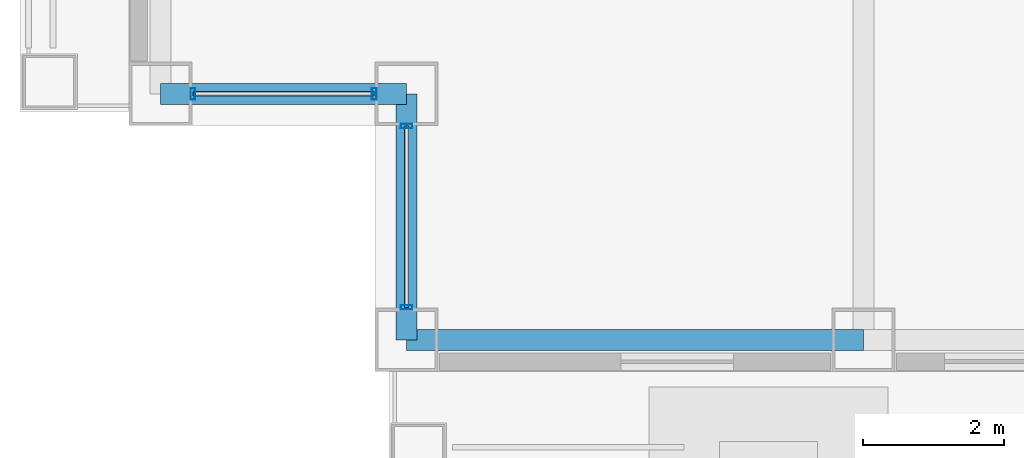
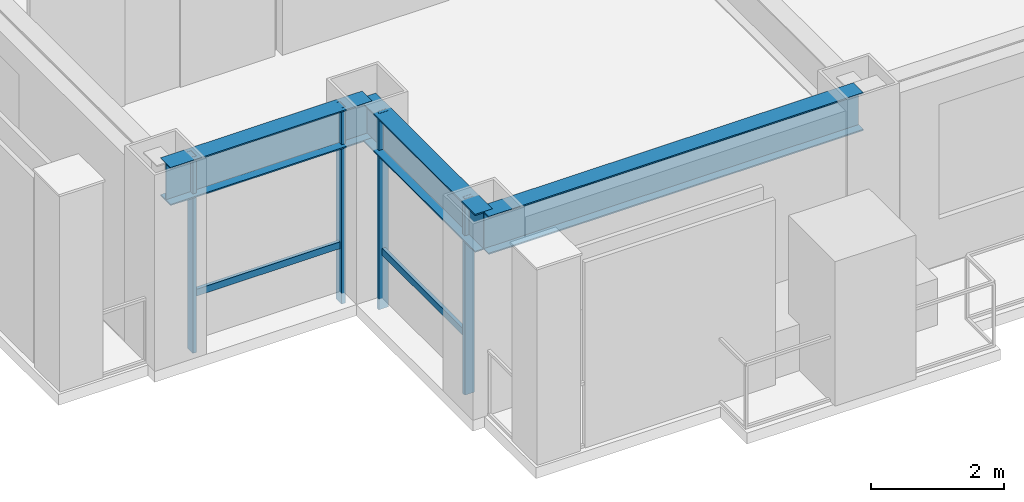
# One storey, part 2 of 28: 6 members, 3 beams, 2 elements without a shape of their own.
"""IFC4 building model written with IfcOpenShell, lengths in metres."""

from ifc_helpers import new_model, si_unit, direction, frame, origin, origin_2d, place, context, subcontext, project, spatial, hollow_rectangle, i_section, extrude, material, layer, layer_set, material_profile, profile_set, type_object, element, aggregate, save


model = new_model("IFC4")

# Units and contexts
model_context = context("Model", 3, precision=1e-05, world=origin(), true_north=direction((0.0, 1.0)))
body_context = subcontext(model_context, "Body", "Model", "MODEL_VIEW")
ifc_project = project(units=[si_unit("LENGTHUNIT", "METRE"), si_unit("AREAUNIT", "SQUARE_METRE"), si_unit("VOLUMEUNIT", "CUBIC_METRE"), si_unit("PLANEANGLEUNIT", "RADIAN"), si_unit("MASSUNIT", "GRAM", prefix="KILO")], contexts=[model_context])

# Site, building, storey
site_placement = place(None, origin())
site = spatial("IfcSite", under=ifc_project, at=site_placement, CompositionType="ELEMENT")
building_placement = place(site_placement, origin())
building = spatial("IfcBuilding", under=site, at=building_placement, Name="Brelmoor Portico Tower", CompositionType="ELEMENT")
storey_placement = place(building_placement, frame((0.0, 0.0, 70.800048828125)))
storey = spatial("IfcBuildingStorey", under=building, at=storey_placement, Name="L18", CompositionType="ELEMENT", Elevation=70.800048828125)

# Beams
ifc_material_1 = material(Name="Steel Q355B", Category="steel")
ifc_material_profile_1 = material_profile(ifc_material_1, i_section(OverallWidth=0.300048828125, OverallDepth=0.699951171875, WebThickness=0.012939453125, FlangeThickness=0.02392578125, at=origin_2d()), Name="HN 700x300x13x24")
ifc_profile_set_1 = profile_set([ifc_material_profile_1], Name="Steel Q355B")
beam_type = type_object("IfcBeamType", Name="BM-SP-700", PredefinedType="SPANDREL", material=ifc_profile_set_1)
beam_placement = place(storey_placement, frame((-21.050048828125, -21.550048828125, 3.050048828125), z_axis=(1.0, 0.0, 0.0), x_axis=(0.0, 1.0, 0.0)))
element("IfcBeam", 1, at=beam_placement, inside=storey, type_object=beam_type, Name="L18 Perimeter Spandrel Beam SP-01", PredefinedType="SPANDREL", context=body_context, shape_type="SweptSolid", body=[
    extrude(i_section(OverallWidth=0.300048828125, OverallDepth=0.699951171875, WebThickness=0.012939453125, FlangeThickness=0.02392578125, at=origin_2d()), origin(), (0.0, 0.0, 1.0), 6.5),
])
for number, where, z_axis, x_axis, name in (
    (2, (-24.550048828125, -18.050048828125, 3.050048828125), (1.0, 0.0, 0.0), (0.0, 1.0, 0.0), "L18 Perimeter Spandrel Beam SP-06"),
    (3, (-21.050048828125, -21.550048828125, 3.050048828125), (0.0, 1.0, 0.0), (-1.0, 0.0, 0.0), "L18 Perimeter Spandrel Beam SP-18"),
):
    element("IfcBeam", number, at=place(storey_placement, frame(where, z_axis=z_axis, x_axis=x_axis)), inside=storey, type_object=beam_type, Name=name, PredefinedType="SPANDREL", context=body_context, shape_type="SweptSolid", body=[
        extrude(i_section(OverallWidth=0.300048828125, OverallDepth=0.699951171875, WebThickness=0.012939453125, FlangeThickness=0.02392578125, at=origin_2d()), origin(), (0.0, 0.0, 1.0), 3.5),
    ])

# Curtain wall, members
ifc_material_2 = material(Name="Anodised Aluminium Alloy 6063-T6", Category="aluminium")
ifc_layer = layer(ifc_material_2, 0.179931640625)
ifc_layer_set = layer_set([ifc_layer], Name="Anodised Aluminium Alloy 6063-T6")
curtain_wall_type = type_object("IfcCurtainWallType", Name="CW-NOTCH-CHAMFER", PredefinedType="NOTDEFINED", material=ifc_layer_set)
curtain_wall_1_placement = place(storey_placement, origin())
curtain_wall_1 = element("IfcCurtainWall", 4, at=curtain_wall_1_placement, inside=storey, type_object=curtain_wall_type, Name="L18 Curtain Wall CWN-L18-SWH", PredefinedType="NOTDEFINED")
ifc_material_profile_2 = material_profile(ifc_material_2, hollow_rectangle(XDim=0.06494140625, YDim=0.1650390625, WallThickness=0.00390625, at=origin_2d()), Name="ALU MULLION 65x165")
ifc_profile_set_2 = profile_set([ifc_material_profile_2], Name="Anodised Aluminium Alloy 6063-T6")
member_type_1 = type_object("IfcMemberType", Name="MB-CW-MULL-165", PredefinedType="MULLION", material=ifc_profile_set_2)
member_1_placement = place(storey_placement, frame((-24.090087890625, -18.050048828125, -0.199951171875), z_axis=(0.0, 0.0, 1.0), x_axis=(1.0, 0.0, 0.0)))
member_1 = element("IfcMember", 5, at=member_1_placement, type_object=member_type_1, Name="CWN-L18-SWH Mullion 00", PredefinedType="MULLION", context=body_context, shape_type="SweptSolid", body=[
    extrude(hollow_rectangle(XDim=0.06494140625, YDim=0.1650390625, WallThickness=0.00390625, at=origin_2d()), origin(), (0.0, 0.0, 1.0), 3.599853515625),
])
member_2_placement = place(storey_placement, frame((-21.510009765625, -18.050048828125, -0.199951171875), z_axis=(0.0, 0.0, 1.0), x_axis=(1.0, 0.0, 0.0)))
member_2 = element("IfcMember", 6, at=member_2_placement, type_object=member_type_1, Name="CWN-L18-SWH Mullion 01", PredefinedType="MULLION", context=body_context, shape_type="SweptSolid", body=[
    extrude(hollow_rectangle(XDim=0.06494140625, YDim=0.1650390625, WallThickness=0.00390625, at=origin_2d()), origin(), (0.0, 0.0, 1.0), 3.599853515625),
])

curtain_wall_2_placement = place(storey_placement, origin())
curtain_wall_2 = element("IfcCurtainWall", 7, at=curtain_wall_2_placement, inside=storey, type_object=curtain_wall_type, Name="L18 Curtain Wall CWN-L18-SWV", PredefinedType="NOTDEFINED")
member_3_placement = place(storey_placement, frame((-21.050048828125, -21.090087890625, -0.199951171875), z_axis=(0.0, 0.0, 1.0), x_axis=(0.0, 1.0, 0.0)))
member_3 = element("IfcMember", 8, at=member_3_placement, type_object=member_type_1, Name="CWN-L18-SWV Mullion 00", PredefinedType="MULLION", context=body_context, shape_type="SweptSolid", body=[
    extrude(hollow_rectangle(XDim=0.06494140625, YDim=0.1650390625, WallThickness=0.00390625, at=origin_2d()), origin(), (0.0, 0.0, 1.0), 3.599853515625),
])
member_4_placement = place(storey_placement, frame((-21.050048828125, -18.510009765625, -0.199951171875), z_axis=(0.0, 0.0, 1.0), x_axis=(0.0, 1.0, 0.0)))
member_4 = element("IfcMember", 9, at=member_4_placement, type_object=member_type_1, Name="CWN-L18-SWV Mullion 01", PredefinedType="MULLION", context=body_context, shape_type="SweptSolid", body=[
    extrude(hollow_rectangle(XDim=0.06494140625, YDim=0.1650390625, WallThickness=0.00390625, at=origin_2d()), origin(), (0.0, 0.0, 1.0), 3.599853515625),
])

# Member
ifc_material_profile_3 = material_profile(ifc_material_2, hollow_rectangle(XDim=0.06005859375, YDim=0.125, WallThickness=0.00341796875, at=origin_2d()), Name="ALU TRANSOM 60x125")
ifc_profile_set_3 = profile_set([ifc_material_profile_3], Name="Anodised Aluminium Alloy 6063-T6")
member_type_2 = type_object("IfcMemberType", Name="MB-CW-TRAN-125", PredefinedType="USERDEFINED", material=ifc_profile_set_3)
member_5_placement = place(storey_placement, frame((-24.090087890625, -18.050048828125, 0.849853515625), z_axis=(1.0, 0.0, 0.0), x_axis=(0.0, 1.0, 0.0)))
member_5 = element("IfcMember", 10, at=member_5_placement, type_object=member_type_2, Name="CWN-L18-SWH Transom 1-00", ObjectType="TRANSOM", PredefinedType="USERDEFINED", context=body_context, shape_type="SweptSolid", body=[
    extrude(hollow_rectangle(XDim=0.06005859375, YDim=0.125, WallThickness=0.00341796875, at=origin_2d()), origin(), (0.0, 0.0, 1.0), 2.580078125),
])

aggregate(curtain_wall_1, [member_1, member_2, member_5])

member_6_placement = place(storey_placement, frame((-21.050048828125, -21.090087890625, 0.849853515625), z_axis=(0.0, 1.0, 0.0), x_axis=(-1.0, 0.0, 0.0)))
member_6 = element("IfcMember", 11, at=member_6_placement, type_object=member_type_2, Name="CWN-L18-SWV Transom 1-00", ObjectType="TRANSOM", PredefinedType="USERDEFINED", context=body_context, shape_type="SweptSolid", body=[
    extrude(hollow_rectangle(XDim=0.06005859375, YDim=0.125, WallThickness=0.00341796875, at=origin_2d()), origin(), (0.0, 0.0, 1.0), 2.580078125),
])

aggregate(curtain_wall_2, [member_3, member_4, member_6])

save(model, "model.ifc")
